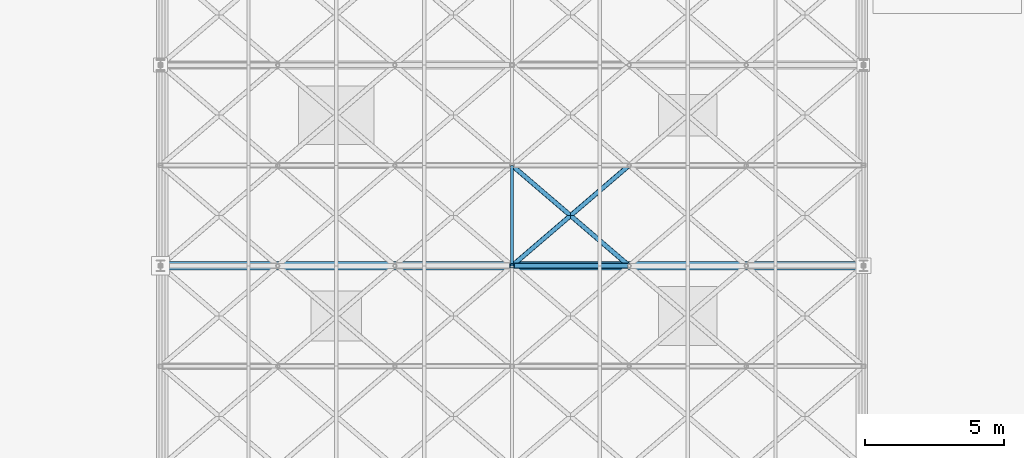
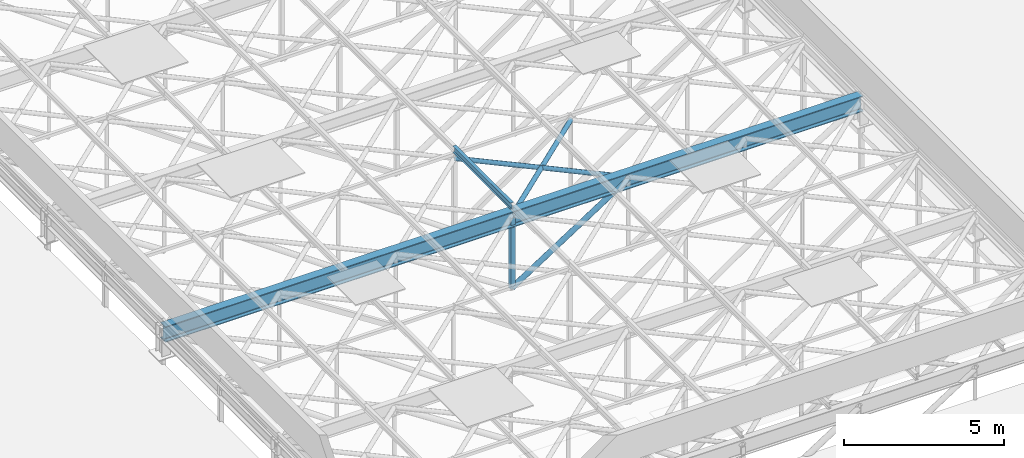
# One storey, part 11 of 45: 5 members, 1 beam.
"""IFC4 building model written with IfcOpenShell, lengths in metres."""

from ifc_helpers import new_model, si_unit, derived_unit, direction, frame, origin, origin_2d, place, context, subcontext, project, spatial, hollow_rectangle, hollow_circle, i_section, extrude, material, material_profile, profile_set, type_object, element, save


model = new_model("IFC4")

# Units and contexts
model_context = context("Model", 3, precision=1e-05, world=origin(), true_north=direction((0.0, 1.0)))
body_context = subcontext(model_context, "Body", "Model", "MODEL_VIEW")
ifc_project = project(units=[si_unit("LENGTHUNIT", "METRE"), si_unit("AREAUNIT", "SQUARE_METRE"), si_unit("VOLUMEUNIT", "CUBIC_METRE"), si_unit("PLANEANGLEUNIT", "RADIAN"), si_unit("MASSUNIT", "GRAM", prefix="KILO"), derived_unit("THERMALTRANSMITTANCEUNIT", [(si_unit("MASSUNIT", "GRAM", prefix="KILO"), 1), (si_unit("TIMEUNIT", "SECOND"), -3), (si_unit("THERMODYNAMICTEMPERATUREUNIT", "KELVIN"), -1)])], contexts=[model_context])

# Site, building, storey
site_placement = place(None, origin())
site = spatial("IfcSite", under=ifc_project, at=site_placement, CompositionType="ELEMENT")
building_placement = place(site_placement, origin())
building = spatial("IfcBuilding", under=site, at=building_placement, Name="Veldstrom Oceanarium and Marine Research Institute", CompositionType="ELEMENT")
storey_placement = place(building_placement, frame((0.0, 0.0, 22.199951171875)))
storey = spatial("IfcBuildingStorey", under=building, at=storey_placement, Name="L04", CompositionType="ELEMENT", Elevation=22.199951171875)

# Beam
ifc_material_1 = material(Name="Steel S355JR", Category="steel")
ifc_material_profile_1 = material_profile(ifc_material_1, i_section(OverallWidth=0.300048828125, OverallDepth=0.60009765625, WebThickness=0.015380859375, FlangeThickness=0.030029296875, FilletRadius=0.027099609375, at=origin_2d()), Name="HEB 600")
ifc_profile_set_1 = profile_set([ifc_material_profile_1], Name="Steel S355JR")
beam_type = type_object("IfcBeamType", Name="STR-BM-SB3", PredefinedType="BEAM", material=ifc_profile_set_1)
beam_placement = place(storey_placement, frame((16.800048828125, 28.800048828125, 0.81005859375), z_axis=(1.0, 0.0, 0.0), x_axis=(0.0, 1.0, 0.0)))
element("IfcBeam", 1, at=beam_placement, inside=storey, type_object=beam_type, Name="Aquarium Roof Truss Top-Chord Girder RT05", PredefinedType="BEAM", context=body_context, shape_type="SweptSolid", body=[
    extrude(i_section(OverallWidth=0.300048828125, OverallDepth=0.60009765625, WebThickness=0.015380859375, FlangeThickness=0.030029296875, FilletRadius=0.027099609375, at=origin_2d()), origin(), (0.0, 0.0, 1.0), 25.199951171875),
])

# Members
ifc_material_2 = material(Name="Steel S355JR", Category="steel")
ifc_material_profile_2 = material_profile(ifc_material_2, hollow_circle(Radius=0.096923828125, WallThickness=0.010009765625, at=origin_2d()), Name="CHS 193.7x10")
ifc_profile_set_2 = profile_set([ifc_material_profile_2], Name="Steel S355JR")
member_type_1 = type_object("IfcMemberType", Name="STR-MEM-BR2", PredefinedType="BRACE", material=ifc_profile_set_2)
member_1_placement = place(storey_placement, frame((29.39990234375, 28.800048828125, -1.89990234375), z_axis=(0.840282293113, 0.0, 0.542149119598), x_axis=(0.0, 1.0, 0.0)))
element("IfcMember", 2, at=member_1_placement, inside=storey, type_object=member_type_1, Name="Truss Web Diagonal RT05-4", PredefinedType="BRACE", context=body_context, shape_type="SweptSolid", body=[
    extrude(hollow_circle(Radius=0.096923828125, WallThickness=0.010009765625, at=origin_2d()), origin(), (0.0, 0.0, 1.0), 4.99853515625),
])
ifc_material_3 = material(Name="Steel S355JR", Category="steel")
ifc_material_profile_3 = material_profile(ifc_material_3, hollow_circle(Radius=0.084228515625, WallThickness=0.008056640625, at=origin_2d()), Name="CHS 168.3x8")
ifc_profile_set_3 = profile_set([ifc_material_profile_3], Name="Steel S355JR")
member_type_2 = type_object("IfcMemberType", Name="STR-MEM-BR3", PredefinedType="BRACE", material=ifc_profile_set_3)
for number, where, z_axis, x_axis, name in (
    (3, (29.39990234375, 28.800048828125, 0.860107421875), (0.759284639853, 0.650758661627, 0.0), (-0.650758661627, 0.759284639853, 0.0), "Roof Plan Wind Brace WB-05-4"),
    (4, (33.60009765625, 28.800048828125, 0.860107421875), (-0.759284639853, 0.650758661627, 0.0), (-0.650758661627, -0.759284639853, 0.0), "Roof Plan Counter Wind Brace WB-05-4B"),
):
    element("IfcMember", number, at=place(storey_placement, frame(where, z_axis=z_axis, x_axis=x_axis)), inside=storey, type_object=member_type_2, Name=name, PredefinedType="BRACE", context=body_context, shape_type="SweptSolid", body=[
        extrude(hollow_circle(Radius=0.084228515625, WallThickness=0.008056640625, at=origin_2d()), origin(), (0.0, 0.0, 1.0), 5.53173828125),
    ])
ifc_material_4 = material(Name="Steel S355JR", Category="steel")
ifc_material_profile_4 = material_profile(ifc_material_4, i_section(OverallWidth=0.1201171875, OverallDepth=0.239990234375, WebThickness=0.006103515625, FlangeThickness=0.009765625, FilletRadius=0.014892578125, at=origin_2d()), Name="IPE 240")
ifc_profile_set_4 = profile_set([ifc_material_profile_4], Name="Steel S355JR")
member_type_3 = type_object("IfcMemberType", Name="STR-MEM-PR1", PredefinedType="PURLIN", material=ifc_profile_set_4)
member_2_placement = place(storey_placement, frame((29.39990234375, 28.800048828125, 1.22998046875), z_axis=(0.0, 1.0, 0.0), x_axis=(-1.0, 0.0, 0.0)))
element("IfcMember", 5, at=member_2_placement, inside=storey, type_object=member_type_3, Name="Hall Roof Purlin PR-06-5", PredefinedType="PURLIN", context=body_context, shape_type="SweptSolid", body=[
    extrude(i_section(OverallWidth=0.1201171875, OverallDepth=0.239990234375, WebThickness=0.006103515625, FlangeThickness=0.009765625, FilletRadius=0.014892578125, at=origin_2d()), origin(), (0.0, 0.0, 1.0), 3.599853515625),
])
ifc_material_5 = material(Name="Steel S355JR", Category="steel")
ifc_material_profile_5 = material_profile(ifc_material_5, hollow_rectangle(XDim=0.14990234375, YDim=0.14990234375, WallThickness=0.010009765625, at=origin_2d()), Name="SHS 150x150x10")
ifc_profile_set_5 = profile_set([ifc_material_profile_5], Name="Steel S355JR")
member_type_4 = type_object("IfcMemberType", Name="STR-MEM-PS1", PredefinedType="POST", material=ifc_profile_set_5)
member_3_placement = place(storey_placement, frame((29.39990234375, 28.800048828125, -1.89990234375), z_axis=(0.0, 0.0, 1.0), x_axis=(1.0, 0.0, 0.0)))
element("IfcMember", 6, at=member_3_placement, inside=storey, type_object=member_type_4, Name="Truss Vertical Post RT05-4", PredefinedType="POST", context=body_context, shape_type="SweptSolid", body=[
    extrude(hollow_rectangle(XDim=0.14990234375, YDim=0.14990234375, WallThickness=0.010009765625, at=origin_2d()), origin(), (0.0, 0.0, 1.0), 2.7099609375),
])

save(model, "model.ifc")
